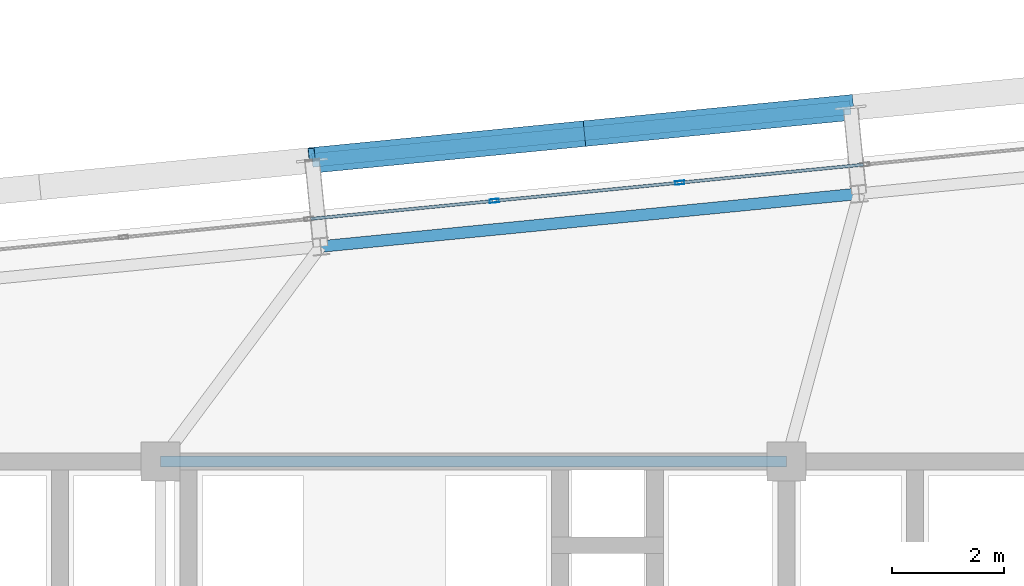
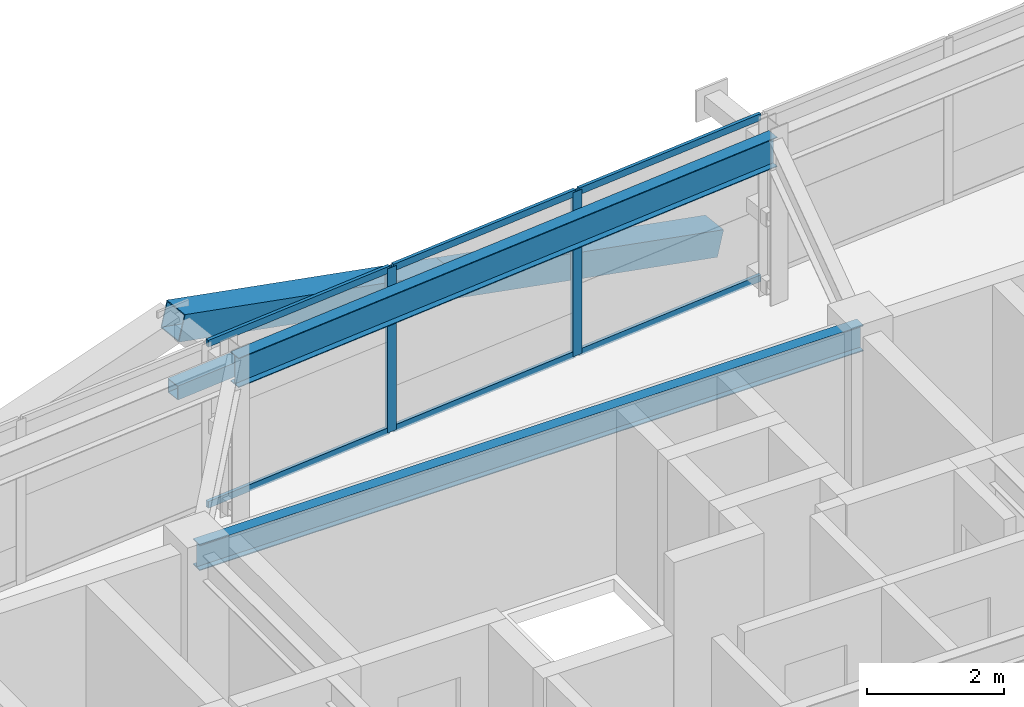
# One storey, part 30 of 54: 11 members, 2 beams, 1 element without a shape of its own.
"""IFC4 building model written with IfcOpenShell, lengths in metres."""

from ifc_helpers import new_model, si_unit, direction, frame, origin, origin_2d, place, context, subcontext, project, spatial, hollow_rectangle, i_section, extrude, source, transform, mapped, material, layer, layer_set, material_profile, profile_set, type_object, element, aggregate, save


model = new_model("IFC4")

# Units and contexts
model_context = context("Model", 3, precision=1e-05, world=origin(), true_north=direction((0.0, 1.0)))
body_context = subcontext(model_context, "Body", "Model", "MODEL_VIEW")
ifc_project = project(units=[si_unit("LENGTHUNIT", "METRE"), si_unit("AREAUNIT", "SQUARE_METRE"), si_unit("VOLUMEUNIT", "CUBIC_METRE"), si_unit("PLANEANGLEUNIT", "RADIAN"), si_unit("MASSUNIT", "GRAM", prefix="KILO")], contexts=[model_context])

# Site, building, storey
site_placement = place(None, origin())
site = spatial("IfcSite", under=ifc_project, at=site_placement, CompositionType="ELEMENT")
building_placement = place(site_placement, origin())
building = spatial("IfcBuilding", under=site, at=building_placement, Name="Taldren Reach Tower", CompositionType="ELEMENT")
storey_placement = place(building_placement, frame((0.0, 0.0, 102.89990234375)))
storey = spatial("IfcBuildingStorey", under=building, at=storey_placement, Name="L31", CompositionType="ELEMENT", Elevation=102.89990234375)

# Beams
ifc_material_1 = material(Name="Steel Gr 350 (350PLUS)", Category="steel")
ifc_material_profile_1 = material_profile(ifc_material_1, i_section(OverallWidth=0.19091796875, OverallDepth=0.4599609375, WebThickness=0.010009765625, FlangeThickness=0.01611328125, at=origin_2d()), Name="460UB82.1")
ifc_profile_set_1 = profile_set([ifc_material_profile_1], Name="Steel Gr 350 (350PLUS)")
beam_type_1 = type_object("IfcBeamType", Name="BM-UB460A", PredefinedType="BEAM", material=ifc_profile_set_1)
shared_shape_1 = source(origin(), body_context, "Body", "SweptSolid", [
    extrude(i_section(OverallWidth=0.19091796875, OverallDepth=0.4599609375, WebThickness=0.010009765625, FlangeThickness=0.01611328125, at=origin_2d()), origin(), (0.0, 0.0, 1.0), 11.199951171875),
])
beam_1_placement = place(storey_placement, frame((28.0, 32.0, 2.7001953125), z_axis=(1.0, 0.0, 0.0), x_axis=(0.0, 1.0, 0.0)))
element("IfcBeam", 1, at=beam_1_placement, inside=storey, type_object=beam_type_1, Name="Core-spine girder L31-SP05", PredefinedType="BEAM", context=body_context, shape_type="MappedRepresentation", body=[
    mapped(shared_shape_1, transform((0.0, 0.0, 0.0), scale=1.0)),
])
ifc_material_profile_2 = material_profile(ifc_material_1, i_section(OverallWidth=0.208984375, OverallDepth=0.528076171875, WebThickness=0.009521484375, FlangeThickness=0.01318359375, at=origin_2d()), Name="530UB82.0")
ifc_profile_set_2 = profile_set([ifc_material_profile_2], Name="Steel Gr 350 (350PLUS)")
beam_type_2 = type_object("IfcBeamType", Name="SP-UB530B", PredefinedType="SPANDREL", material=ifc_profile_set_2)
shared_shape_2 = source(origin(), body_context, "Body", "SweptSolid", [
    extrude(i_section(OverallWidth=0.208984375, OverallDepth=0.528076171875, WebThickness=0.009521484375, FlangeThickness=0.01318359375, at=origin_2d()), origin(), (0.0, 0.0, 1.0), 9.679931640625),
])
beam_2_placement = place(storey_placement, frame((40.498291015625, 36.790771484375, 2.666015625), z_axis=(-0.995227612658, -0.097580730699, 0.0), x_axis=(0.097580730699, -0.995227612658, 0.0)))
element("IfcBeam", 2, at=beam_2_placement, inside=storey, type_object=beam_type_2, Name="Perimeter spandrel B2 N4-N3 L31", PredefinedType="SPANDREL", context=body_context, shape_type="MappedRepresentation", body=[
    mapped(shared_shape_2, transform((0.0, 0.0, 0.0), scale=1.0)),
])

# Members
ifc_material_2 = material(Name="Steel Gr 450 (C450L0)", Category="steel")
ifc_material_profile_3 = material_profile(ifc_material_2, hollow_rectangle(XDim=0.4599609375, YDim=0.4599609375, WallThickness=0.01611328125, at=origin_2d()), Name="460x460x16.0SHS")
ifc_profile_set_3 = profile_set([ifc_material_profile_3], Name="Steel Gr 450 (C450L0)")
member_type_1 = type_object("IfcMemberType", Name="MB-EXO457", PredefinedType="BRACE", material=ifc_profile_set_3)
shared_shape_3 = source(origin(), body_context, "Body", "SweptSolid", [
    extrude(hollow_rectangle(XDim=0.4599609375, YDim=0.4599609375, WallThickness=0.01611328125, at=origin_2d()), origin(), (0.0, 0.0, 1.0), 4.990234375),
])
for number, where, z_axis, x_axis, name in (
    (3, (40.346923828125, 38.333251953125, 0.22021484375), (-0.965287024526, -0.094620633828, 0.24344998652), (0.097555749586, -0.995230061706, 0.0), "Exoskeleton Diagrid Brace B2-N3 L31"),
    (4, (35.530029296875, 37.861083984375, 1.43505859375), (-0.965271056716, -0.094667992638, 0.243494883389), (0.097605711627, -0.995225162995, 0.0), "Exoskeleton Diagrid Brace B2-N3 L31"),
):
    element("IfcMember", number, at=place(storey_placement, frame(where, z_axis=z_axis, x_axis=x_axis)), inside=storey, type_object=member_type_1, Name=name, PredefinedType="BRACE", context=body_context, shape_type="MappedRepresentation", body=[
        mapped(shared_shape_3, transform((0.0, 0.0, 0.0), scale=1.0)),
    ])
ifc_material_3 = material(Name="Steel Gr 350 (C350L0)", Category="steel")
ifc_material_profile_4 = material_profile(ifc_material_3, hollow_rectangle(XDim=0.25, YDim=0.25, WallThickness=0.010009765625, at=origin_2d()), Name="250x250x10.0SHS")
ifc_profile_set_4 = profile_set([ifc_material_profile_4], Name="Steel Gr 350 (C350L0)")
member_type_2 = type_object("IfcMemberType", Name="MB-POST250", PredefinedType="POST", material=ifc_profile_set_4)
shared_shape_4 = source(origin(), body_context, "Body", "SweptSolid", [
    extrude(hollow_rectangle(XDim=0.25, YDim=0.25, WallThickness=0.010009765625, at=origin_2d()), origin(), (0.0, 0.0, 1.0), 9.679931640625),
])
member_1_placement = place(storey_placement, frame((30.713134765625, 37.388671875, 1.43505859375), z_axis=(0.995227612658, 0.097580730699, 0.0), x_axis=(-0.097580730699, 0.995227612658, 0.0)))
element("IfcMember", 5, at=member_1_placement, inside=storey, type_object=member_type_2, Name="Exoskeleton mid-height ring chord B2-N3 L31", PredefinedType="POST", context=body_context, shape_type="MappedRepresentation", body=[
    mapped(shared_shape_4, transform((0.0, 0.0, 0.0), scale=1.0)),
])

# Curtain wall, members
ifc_material_4 = material(Name="Aluminium and Low-E Glass Unitised System", Category="aluminium")
ifc_layer = layer(ifc_material_4, 0.159912109375)
ifc_layer_set = layer_set([ifc_layer], Name="Aluminium and Low-E Glass Unitised System")
curtain_wall_type = type_object("IfcCurtainWallType", Name="CW-SYS-3", PredefinedType="NOTDEFINED", material=ifc_layer_set)
curtain_wall_placement = place(storey_placement, origin())
curtain_wall = element("IfcCurtainWall", 6, at=curtain_wall_placement, inside=storey, type_object=curtain_wall_type, Name="Unitised curtain wall CW-L31-N", PredefinedType="NOTDEFINED")
ifc_material_5 = material(Name="Anodised Aluminium 6063-T6", Category="aluminium")
ifc_material_profile_5 = material_profile(ifc_material_5, hollow_rectangle(XDim=0.06494140625, YDim=0.1650390625, WallThickness=0.00390625, at=origin_2d()), Name="ALU-165x65x4RHS")
ifc_profile_set_5 = profile_set([ifc_material_profile_5], Name="Anodised Aluminium 6063-T6")
member_type_3 = type_object("IfcMemberType", Name="CW-MUL-165", PredefinedType="MULLION", material=ifc_profile_set_5)
shared_shape_5 = source(origin(), body_context, "Body", "SweptSolid", [
    extrude(hollow_rectangle(XDim=0.06494140625, YDim=0.1650390625, WallThickness=0.00390625, at=origin_2d()), origin(), (0.0, 0.0, 1.0), 2.93017578125),
])
member_2_placement = place(storey_placement, frame((37.290283203125, 36.988525390625, 0.0), z_axis=(0.0, 0.0, 1.0), x_axis=(0.097582999046, -0.995227390247, 0.0)))
member_2 = element("IfcMember", 7, at=member_2_placement, type_object=member_type_3, Name="CW-3 mullion 8", PredefinedType="MULLION", context=body_context, shape_type="MappedRepresentation", body=[
    mapped(shared_shape_5, transform((0.0, 0.0, 0.0), scale=1.0)),
])
member_3_placement = place(storey_placement, frame((33.972900390625, 36.663330078125, 0.0), z_axis=(0.0, 0.0, 1.0), x_axis=(0.097582999046, -0.995227390247, 0.0)))
member_3 = element("IfcMember", 8, at=member_3_placement, type_object=member_type_3, Name="CW-3 mullion 9", PredefinedType="MULLION", context=body_context, shape_type="MappedRepresentation", body=[
    mapped(shared_shape_5, transform((0.0, 0.0, 0.0), scale=1.0)),
])
ifc_material_profile_6 = material_profile(ifc_material_5, hollow_rectangle(XDim=0.054931640625, YDim=0.1201171875, WallThickness=0.0029296875, at=origin_2d()), Name="ALU-120x55x3RHS")
ifc_profile_set_6 = profile_set([ifc_material_profile_6], Name="Anodised Aluminium 6063-T6")
member_type_4 = type_object("IfcMemberType", Name="CW-TRN-135", PredefinedType="USERDEFINED", material=ifc_profile_set_6)
shared_shape_6 = source(origin(), body_context, "Body", "SweptSolid", [
    extrude(hollow_rectangle(XDim=0.054931640625, YDim=0.1201171875, WallThickness=0.0029296875, at=origin_2d()), origin(), (0.0, 0.0, 1.0), 3.268310546875),
])
member_4_placement = place(storey_placement, frame((37.2578125, 36.9853515625, 0.027587890625), z_axis=(-0.99522980512, -0.097558367146, 0.0), x_axis=(0.097558367146, -0.99522980512, 0.0)))
member_4 = element("IfcMember", 9, at=member_4_placement, type_object=member_type_4, Name="CW-3 transom 8.1", ObjectType="TRANSOM", PredefinedType="USERDEFINED", context=body_context, shape_type="MappedRepresentation", body=[
    mapped(shared_shape_6, transform((0.0, 0.0, 0.0), scale=1.0)),
])
member_5_placement = place(storey_placement, frame((37.2578125, 36.9853515625, 2.902587890625), z_axis=(-0.99522980512, -0.097558367146, 0.0), x_axis=(0.097558367146, -0.99522980512, 0.0)))
member_5 = element("IfcMember", 10, at=member_5_placement, type_object=member_type_4, Name="CW-3 transom 8.2", ObjectType="TRANSOM", PredefinedType="USERDEFINED", context=body_context, shape_type="MappedRepresentation", body=[
    mapped(shared_shape_6, transform((0.0, 0.0, 0.0), scale=1.0)),
])
member_6_placement = place(storey_placement, frame((33.9404296875, 36.66015625, 0.027587890625), z_axis=(-0.99522980512, -0.097558367146, 0.0), x_axis=(0.097558367146, -0.99522980512, 0.0)))
member_6 = element("IfcMember", 11, at=member_6_placement, type_object=member_type_4, Name="CW-3 transom 9.1", ObjectType="TRANSOM", PredefinedType="USERDEFINED", context=body_context, shape_type="MappedRepresentation", body=[
    mapped(shared_shape_6, transform((0.0, 0.0, 0.0), scale=1.0)),
])
member_7_placement = place(storey_placement, frame((33.9404296875, 36.66015625, 2.902587890625), z_axis=(-0.99522980512, -0.097558367146, 0.0), x_axis=(0.097558367146, -0.99522980512, 0.0)))
member_7 = element("IfcMember", 12, at=member_7_placement, type_object=member_type_4, Name="CW-3 transom 9.2", ObjectType="TRANSOM", PredefinedType="USERDEFINED", context=body_context, shape_type="MappedRepresentation", body=[
    mapped(shared_shape_6, transform((0.0, 0.0, 0.0), scale=1.0)),
])
shared_shape_7 = source(origin(), body_context, "Body", "SweptSolid", [
    extrude(hollow_rectangle(XDim=0.054931640625, YDim=0.1201171875, WallThickness=0.0029296875, at=origin_2d()), origin(), (0.0, 0.0, 1.0), 3.2685546875),
])
member_8_placement = place(storey_placement, frame((40.575439453125, 37.310791015625, 0.027587890625), z_axis=(-0.995223261527, -0.09762509778, 0.0), x_axis=(0.09762509778, -0.995223261527, 0.0)))
member_8 = element("IfcMember", 13, at=member_8_placement, type_object=member_type_4, Name="CW-3 transom 7.1", ObjectType="TRANSOM", PredefinedType="USERDEFINED", context=body_context, shape_type="MappedRepresentation", body=[
    mapped(shared_shape_7, transform((0.0, 0.0, 0.0), scale=1.0)),
])
member_9_placement = place(storey_placement, frame((40.575439453125, 37.310791015625, 2.902587890625), z_axis=(-0.995223261527, -0.09762509778, 0.0), x_axis=(0.09762509778, -0.995223261527, 0.0)))
member_9 = element("IfcMember", 14, at=member_9_placement, type_object=member_type_4, Name="CW-3 transom 7.2", ObjectType="TRANSOM", PredefinedType="USERDEFINED", context=body_context, shape_type="MappedRepresentation", body=[
    mapped(shared_shape_7, transform((0.0, 0.0, 0.0), scale=1.0)),
])
aggregate(curtain_wall, [member_2, member_3, member_8, member_9, member_4, member_5, member_6, member_7])

save(model, "model.ifc")
